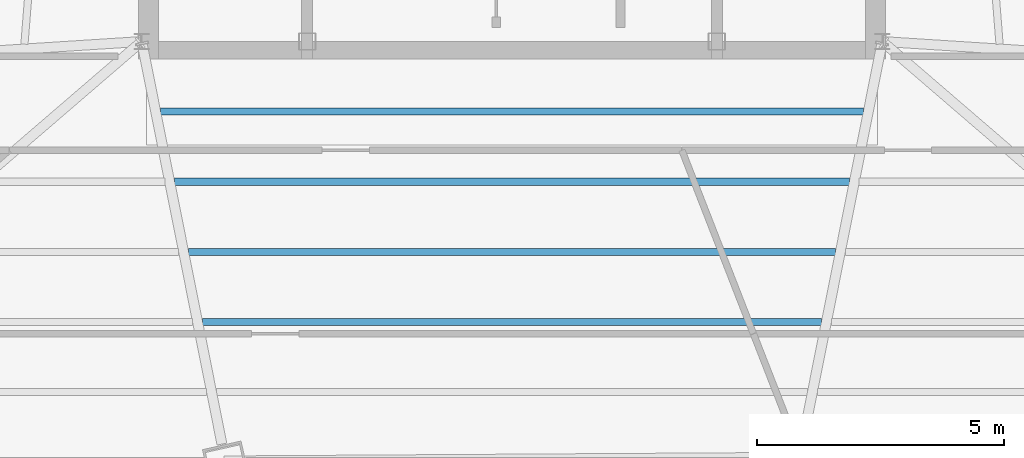
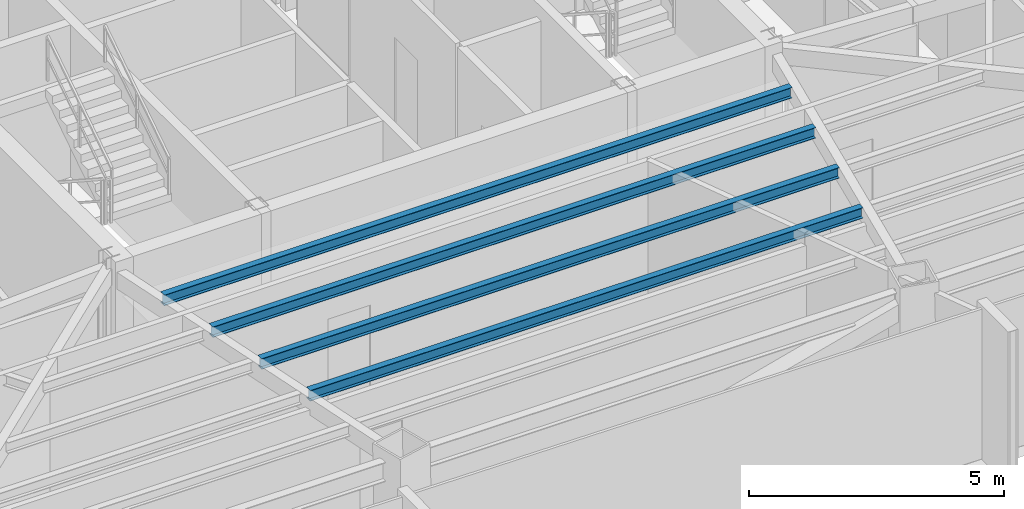
# One storey, part 15 of 47: 4 beams.
"""IFC4 building model written with IfcOpenShell, lengths in metres."""

from ifc_helpers import new_model, si_unit, direction, frame, origin, origin_2d, place, context, subcontext, project, spatial, i_section, extrude, source, transform, mapped, material, material_profile, profile_set, type_object, type_shapes, element, save


model = new_model("IFC4")

# Units and contexts
model_context = context("Model", 3, precision=1e-05, world=origin(), true_north=direction((0.0, 1.0)))
body_context = subcontext(model_context, "Body", "Model", "MODEL_VIEW")
ifc_project = project(units=[si_unit("LENGTHUNIT", "METRE"), si_unit("AREAUNIT", "SQUARE_METRE"), si_unit("VOLUMEUNIT", "CUBIC_METRE"), si_unit("PLANEANGLEUNIT", "RADIAN"), si_unit("MASSUNIT", "GRAM", prefix="KILO")], contexts=[model_context])

# Site, building, storey
site_placement = place(None, origin())
site = spatial("IfcSite", under=ifc_project, at=site_placement, CompositionType="ELEMENT")
building_placement = place(site_placement, origin())
building = spatial("IfcBuilding", under=site, at=building_placement, Name="Caelisora Broadcast Tower", CompositionType="ELEMENT")
storey_placement = place(building_placement, frame((0.0, 0.0, 229.85009765625)))
storey = spatial("IfcBuildingStorey", under=building, at=storey_placement, Name="L60", CompositionType="ELEMENT", Elevation=229.85009765625)

# Beams
ifc_material = material(Name="Steel Grade 350 (AS/NZS 3679.1)", Category="steel")
ifc_material_profile = material_profile(ifc_material, i_section(OverallWidth=0.14599609375, OverallDepth=0.256103515625, WebThickness=0.00634765625, FlangeThickness=0.010986328125, at=origin_2d()), Name="Steel Grade 350 (AS/NZS 3679.1)")
ifc_profile_set = profile_set([ifc_material_profile], Name="Steel Grade 350 (AS/NZS 3679.1)")
beam_type = type_object("IfcBeamType", Name="SB04", PredefinedType="JOIST", material=ifc_profile_set)
shared_shape_1 = source(origin(), body_context, "Body", "SweptSolid", [
    extrude(i_section(OverallWidth=0.14599609375, OverallDepth=0.256103515625, WebThickness=0.00634765625, FlangeThickness=0.010986328125, at=origin_2d()), origin(), (0.0, 0.0, 1.0), 14.23583984375),
])
beam_1_placement = place(storey_placement, frame((30.882080078125, 15.979736328125, 3.271728515625), z_axis=(1.0, 0.0, 0.0), x_axis=(0.0, 1.0, 0.0)))
element("IfcBeam", 1, at=beam_1_placement, inside=storey, type_object=beam_type, Name="L60 beam SB04", PredefinedType="JOIST", context=body_context, shape_type="MappedRepresentation", body=[
    mapped(shared_shape_1, transform((0.0, 0.0, 0.0), scale=1.0)),
])
shared_shape_2 = source(origin(), body_context, "Body", "SweptSolid", [
    extrude(i_section(OverallWidth=0.14599609375, OverallDepth=0.256103515625, WebThickness=0.00634765625, FlangeThickness=0.010986328125, at=origin_2d()), origin(), (0.0, 0.0, 1.0), 13.669921875),
])
beam_2_placement = place(storey_placement, frame((31.1650390625, 14.559326171875, 3.271728515625), z_axis=(1.0, 0.0, 0.0), x_axis=(0.0, 1.0, 0.0)))
element("IfcBeam", 2, at=beam_2_placement, inside=storey, type_object=beam_type, Name="L60 beam SB04", PredefinedType="JOIST", context=body_context, shape_type="MappedRepresentation", body=[
    mapped(shared_shape_2, transform((0.0, 0.0, 0.0), scale=1.0)),
])
shared_shape_3 = source(origin(), body_context, "Body", "SweptSolid", [
    extrude(i_section(OverallWidth=0.14599609375, OverallDepth=0.256103515625, WebThickness=0.00634765625, FlangeThickness=0.010986328125, at=origin_2d()), origin(), (0.0, 0.0, 1.0), 13.10400390625),
])
beam_3_placement = place(storey_placement, frame((31.447998046875, 13.13916015625, 3.271728515625), z_axis=(1.0, 0.0, 0.0), x_axis=(0.0, 1.0, 0.0)))
element("IfcBeam", 3, at=beam_3_placement, inside=storey, type_object=beam_type, Name="L60 beam SB04", PredefinedType="JOIST", context=body_context, shape_type="MappedRepresentation", body=[
    mapped(shared_shape_3, transform((0.0, 0.0, 0.0), scale=1.0)),
])
shared_shape_4 = source(origin(), body_context, "Body", "SweptSolid", [
    extrude(i_section(OverallWidth=0.14599609375, OverallDepth=0.256103515625, WebThickness=0.00634765625, FlangeThickness=0.010986328125, at=origin_2d()), origin(), (0.0, 0.0, 1.0), 12.53759765625),
])
type_shapes(beam_type, [shared_shape_1, shared_shape_2, shared_shape_3, shared_shape_4])
beam_4_placement = place(storey_placement, frame((31.731201171875, 11.718994140625, 3.271728515625), z_axis=(1.0, 0.0, 0.0), x_axis=(0.0, 1.0, 0.0)))
element("IfcBeam", 4, at=beam_4_placement, inside=storey, type_object=beam_type, Name="L60 beam SB04", PredefinedType="JOIST", context=body_context, shape_type="MappedRepresentation", body=[
    mapped(shared_shape_4, transform((0.0, 0.0, 0.0), scale=1.0)),
])

save(model, "model.ifc")
